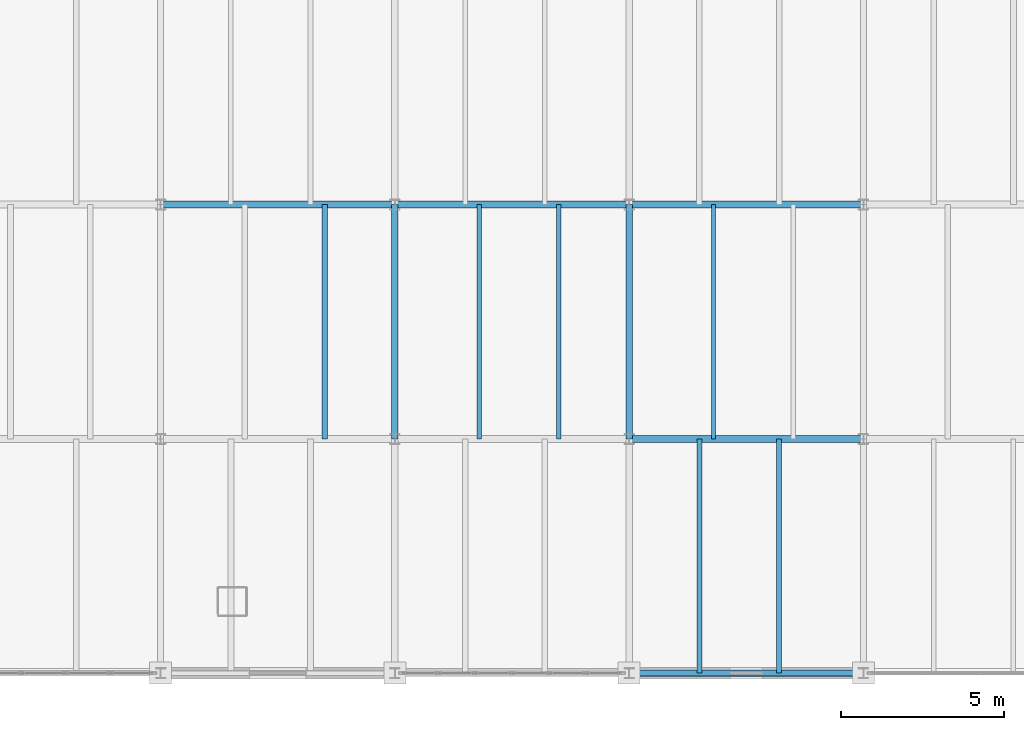
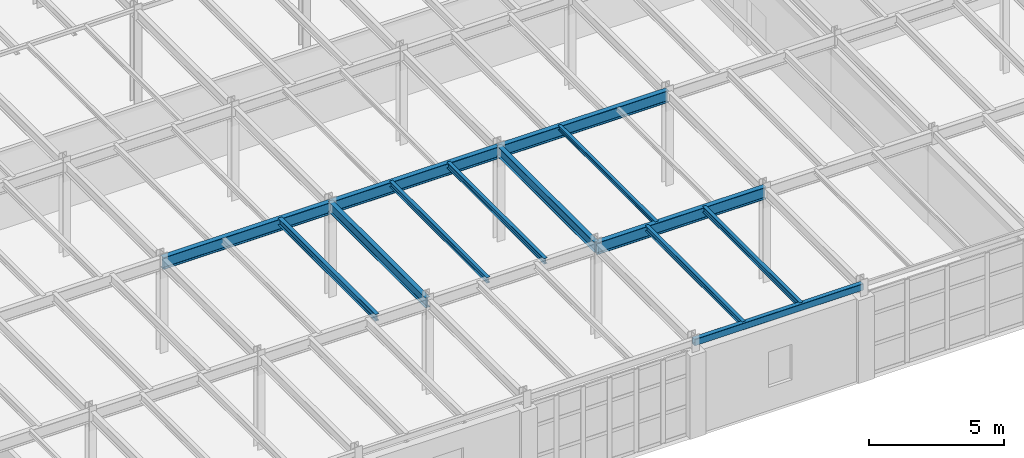
# One storey, part 28 of 137: 13 beams.
"""IFC4 building model written with IfcOpenShell, lengths in metres."""

from ifc_helpers import new_model, si_unit, direction, frame, origin, origin_2d, place, context, subcontext, project, spatial, hollow_rectangle, i_section, extrude, material, material_profile, profile_set, type_object, element, save


model = new_model("IFC4")

# Units and contexts
model_context = context("Model", 3, precision=1e-05, world=origin(), true_north=direction((0.0, 1.0)))
body_context = subcontext(model_context, "Body", "Model", "MODEL_VIEW")
ifc_project = project(units=[si_unit("LENGTHUNIT", "METRE"), si_unit("AREAUNIT", "SQUARE_METRE"), si_unit("VOLUMEUNIT", "CUBIC_METRE"), si_unit("PLANEANGLEUNIT", "RADIAN"), si_unit("MASSUNIT", "GRAM", prefix="KILO")], contexts=[model_context])

# Site, building, storey
site_placement = place(None, origin())
site = spatial("IfcSite", under=ifc_project, at=site_placement, CompositionType="ELEMENT")
building_placement = place(site_placement, origin())
building = spatial("IfcBuilding", under=site, at=building_placement, Name="Kemerveld Promenade Tramway Depot", CompositionType="ELEMENT")
storey_placement = place(building_placement, frame((0.0, 0.0, 5.39990234375)))
storey = spatial("IfcBuildingStorey", under=building, at=storey_placement, Name="L01", CompositionType="ELEMENT", Elevation=5.39990234375)

# Beams
ifc_material = material(Name="Steel S355", Category="steel")
ifc_material_profile_1 = material_profile(ifc_material, i_section(OverallWidth=0.2099609375, OverallDepth=0.53662109375, WebThickness=0.0107421875, FlangeThickness=0.017333984375, FilletRadius=0.0126953125, at=origin_2d()), Name="533x210x101 UB")
ifc_profile_set_1 = profile_set([ifc_material_profile_1], Name="Steel S355")
beam_type_1 = type_object("IfcBeamType", Name="BM-G05", PredefinedType="BEAM", material=ifc_profile_set_1)
for number, where, z_axis, x_axis, name in (
    (1, (43.199951171875, 7.199951171875, 3.99169921875), (1.0, 0.0, 0.0), (0.0, 1.0, 0.0), "BMX-L01-07-08-B"),
    (2, (28.800048828125, 14.39990234375, 3.99169921875), (1.0, 0.0, 0.0), (0.0, 1.0, 0.0), "BMX-L01-05-06-C"),
    (3, (36.0, 14.39990234375, 3.99169921875), (1.0, 0.0, 0.0), (0.0, 1.0, 0.0), "BMX-L01-06-07-C"),
    (4, (43.199951171875, 14.39990234375, 3.99169921875), (1.0, 0.0, 0.0), (0.0, 1.0, 0.0), "BMX-L01-07-08-C"),
):
    element("IfcBeam", number, at=place(storey_placement, frame(where, z_axis=z_axis, x_axis=x_axis)), inside=storey, type_object=beam_type_1, Name=name, PredefinedType="BEAM", context=body_context, shape_type="SweptSolid", body=[
        extrude(i_section(OverallWidth=0.2099609375, OverallDepth=0.53662109375, WebThickness=0.0107421875, FlangeThickness=0.017333984375, FilletRadius=0.0126953125, at=origin_2d()), origin(), (0.0, 0.0, 1.0), 7.199951171875),
    ])
ifc_material_profile_2 = material_profile(ifc_material, i_section(OverallWidth=0.19140625, OverallDepth=0.4599609375, WebThickness=0.010009765625, FlangeThickness=0.01611328125, FilletRadius=0.01025390625, at=origin_2d()), Name="457x191x82 UB")
ifc_profile_set_2 = profile_set([ifc_material_profile_2], Name="Steel S355")
beam_type_2 = type_object("IfcBeamType", Name="BM-G06", PredefinedType="BEAM", material=ifc_profile_set_2)
for number, where, z_axis, x_axis, name in (
    (5, (36.0, 7.199951171875, 4.030029296875), (0.0, 1.0, 0.0), (-1.0, 0.0, 0.0), "BMY-L01-06-B-C"),
    (6, (43.199951171875, 7.199951171875, 4.030029296875), (0.0, 1.0, 0.0), (-1.0, 0.0, 0.0), "BMY-L01-07-B-C"),
):
    element("IfcBeam", number, at=place(storey_placement, frame(where, z_axis=z_axis, x_axis=x_axis)), inside=storey, type_object=beam_type_2, Name=name, PredefinedType="BEAM", context=body_context, shape_type="SweptSolid", body=[
        extrude(i_section(OverallWidth=0.19140625, OverallDepth=0.4599609375, WebThickness=0.010009765625, FlangeThickness=0.01611328125, FilletRadius=0.01025390625, at=origin_2d()), origin(), (0.0, 0.0, 1.0), 7.199951171875),
    ])
ifc_material_profile_3 = material_profile(ifc_material, i_section(OverallWidth=0.165771484375, OverallDepth=0.306640625, WebThickness=0.006591796875, FlangeThickness=0.01171875, FilletRadius=0.0087890625, at=origin_2d()), Name="305x165x46 UB")
ifc_profile_set_3 = profile_set([ifc_material_profile_3], Name="Steel S355")
beam_type_3 = type_object("IfcBeamType", Name="BM-J01", PredefinedType="JOIST", material=ifc_profile_set_3)
beam_1_placement = place(storey_placement, frame((33.840087890625, 7.199951171875, 4.106689453125), z_axis=(0.0, 1.0, 0.0), x_axis=(-1.0, 0.0, 0.0)))
element("IfcBeam", 7, at=beam_1_placement, inside=storey, type_object=beam_type_3, Name="JST-L01-05-B-2", PredefinedType="JOIST", context=body_context, shape_type="SweptSolid", body=[
    extrude(i_section(OverallWidth=0.165771484375, OverallDepth=0.306640625, WebThickness=0.006591796875, FlangeThickness=0.01171875, FilletRadius=0.0087890625, at=origin_2d()), origin(), (0.0, 0.0, 1.0), 7.199951171875),
])
ifc_material_profile_4 = material_profile(ifc_material, i_section(OverallWidth=0.146484375, OverallDepth=0.256103515625, WebThickness=0.00634765625, FlangeThickness=0.010986328125, FilletRadius=0.007568359375, at=origin_2d()), Name="254x146x37 UB")
ifc_profile_set_4 = profile_set([ifc_material_profile_4], Name="Steel S355")
beam_type_4 = type_object("IfcBeamType", Name="BM-J02", PredefinedType="JOIST", material=ifc_profile_set_4)
for number, where, z_axis, x_axis, name in (
    (8, (38.592041015625, 7.199951171875, 4.132080078125), (0.0, 1.0, 0.0), (-1.0, 0.0, 0.0), "JST-L01-06-B-1"),
    (9, (41.0400390625, 7.199951171875, 4.132080078125), (0.0, 1.0, 0.0), (-1.0, 0.0, 0.0), "JST-L01-06-B-2"),
    (10, (45.360107421875, 0.0, 4.132080078125), (0.0, 1.0, 0.0), (-1.0, 0.0, 0.0), "JST-L01-07-A-1"),
    (11, (47.80810546875, 0.0, 4.132080078125), (0.0, 1.0, 0.0), (-1.0, 0.0, 0.0), "JST-L01-07-A-2"),
):
    element("IfcBeam", number, at=place(storey_placement, frame(where, z_axis=z_axis, x_axis=x_axis)), inside=storey, type_object=beam_type_4, Name=name, PredefinedType="JOIST", context=body_context, shape_type="SweptSolid", body=[
        extrude(i_section(OverallWidth=0.146484375, OverallDepth=0.256103515625, WebThickness=0.00634765625, FlangeThickness=0.010986328125, FilletRadius=0.007568359375, at=origin_2d()), origin(), (0.0, 0.0, 1.0), 7.199951171875),
    ])
ifc_material_profile_5 = material_profile(ifc_material, i_section(OverallWidth=0.13330078125, OverallDepth=0.203125, WebThickness=0.005615234375, FlangeThickness=0.0078125, FilletRadius=0.007568359375, at=origin_2d()), Name="203x133x25 UB")
ifc_profile_set_5 = profile_set([ifc_material_profile_5], Name="Steel S355")
beam_type_5 = type_object("IfcBeamType", Name="BM-J03", PredefinedType="JOIST", material=ifc_profile_set_5)
beam_2_placement = place(storey_placement, frame((45.7919921875, 7.199951171875, 4.158447265625), z_axis=(0.0, 1.0, 0.0), x_axis=(-1.0, 0.0, 0.0)))
element("IfcBeam", 12, at=beam_2_placement, inside=storey, type_object=beam_type_5, Name="JST-L01-07-B-1", PredefinedType="JOIST", context=body_context, shape_type="SweptSolid", body=[
    extrude(i_section(OverallWidth=0.13330078125, OverallDepth=0.203125, WebThickness=0.005615234375, FlangeThickness=0.0078125, FilletRadius=0.007568359375, at=origin_2d()), origin(), (0.0, 0.0, 1.0), 7.199951171875),
])
ifc_material_profile_6 = material_profile(ifc_material, hollow_rectangle(XDim=0.199951171875, YDim=0.300048828125, WallThickness=0.012451171875, InnerFilletRadius=0.00634765625, OuterFilletRadius=0.018798828125, at=origin_2d()), Name="300x200x12.5 RHS")
ifc_profile_set_6 = profile_set([ifc_material_profile_6], Name="Steel S355")
beam_type_6 = type_object("IfcBeamType", Name="BM-SP1", PredefinedType="SPANDREL", material=ifc_profile_set_6)
beam_3_placement = place(storey_placement, frame((43.199951171875, 0.0, 4.110107421875), z_axis=(1.0, 0.0, 0.0), x_axis=(0.0, 1.0, 0.0)))
element("IfcBeam", 13, at=beam_3_placement, inside=storey, type_object=beam_type_6, Name="BMX-L01-07-08-A", PredefinedType="SPANDREL", context=body_context, shape_type="SweptSolid", body=[
    extrude(hollow_rectangle(XDim=0.199951171875, YDim=0.300048828125, WallThickness=0.012451171875, InnerFilletRadius=0.00634765625, OuterFilletRadius=0.018798828125, at=origin_2d()), origin(), (0.0, 0.0, 1.0), 7.199951171875),
])

save(model, "model.ifc")
